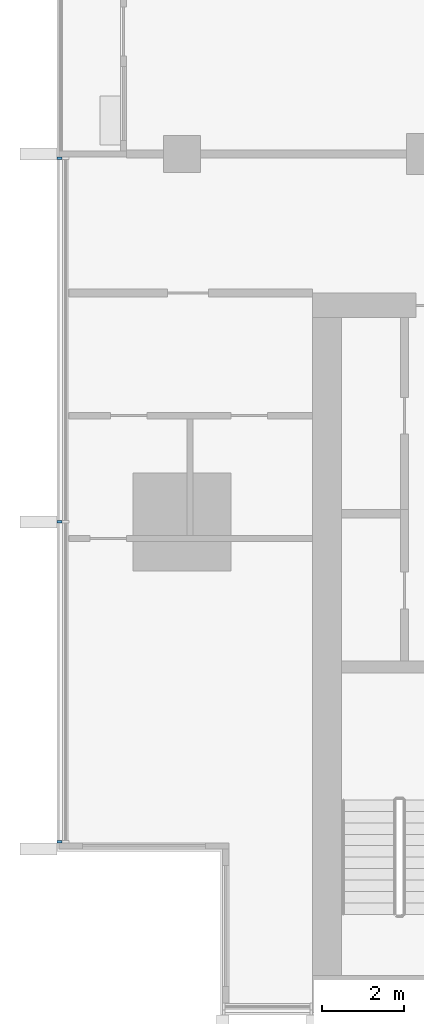
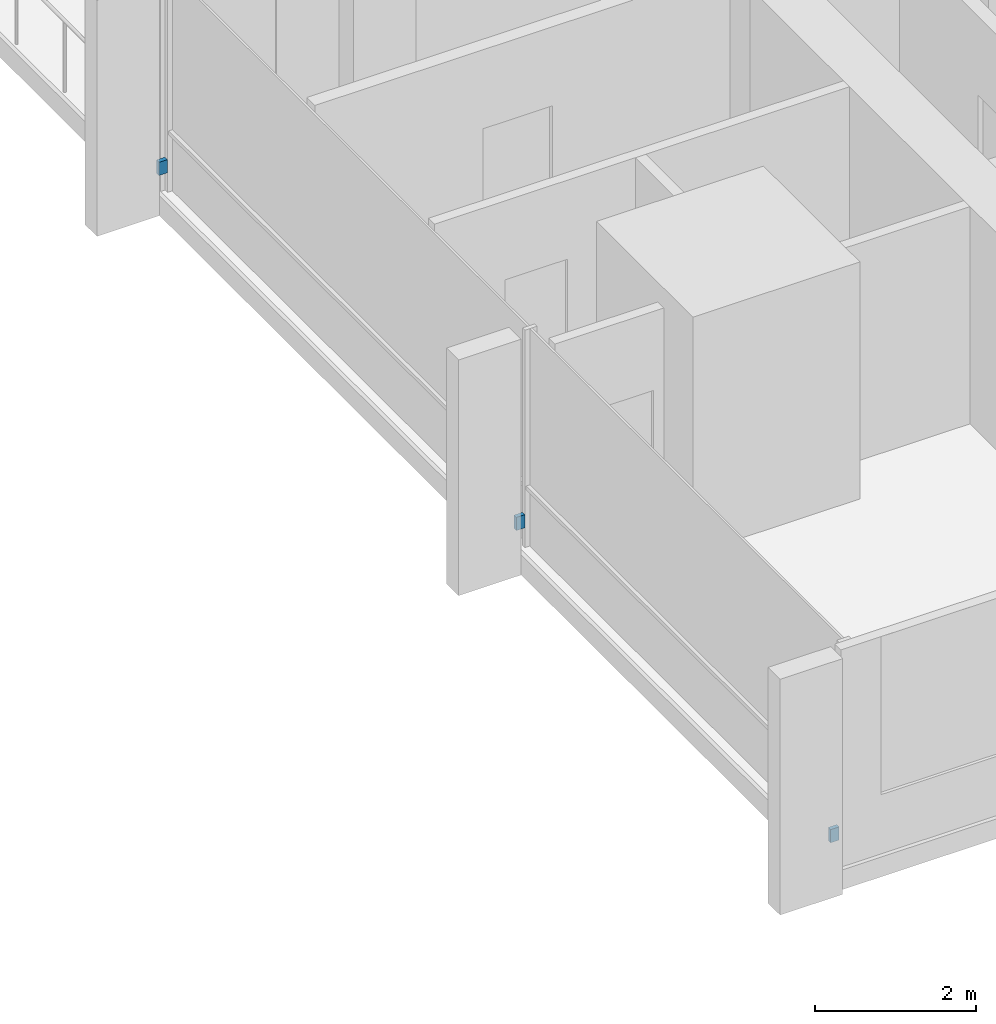
# One storey, part 13 of 17: 3 discrete accessories.
"""IFC4 building model written with IfcOpenShell, lengths in metres."""

from ifc_helpers import new_model, si_unit, direction, frame, origin, origin_2d, place, context, subcontext, project, spatial, rectangle, extrude, material, type_object, element, save


model = new_model("IFC4")

# Units and contexts
model_context = context("Model", 3, precision=1e-05, world=origin(), true_north=direction((0.0, 1.0)))
body_context = subcontext(model_context, "Body", "Model", "MODEL_VIEW")
ifc_project = project(units=[si_unit("LENGTHUNIT", "METRE"), si_unit("AREAUNIT", "SQUARE_METRE"), si_unit("VOLUMEUNIT", "CUBIC_METRE"), si_unit("PLANEANGLEUNIT", "RADIAN"), si_unit("MASSUNIT", "GRAM", prefix="KILO")], contexts=[model_context])

# Site, building, storey
site_placement = place(None, origin())
site = spatial("IfcSite", under=ifc_project, at=site_placement, CompositionType="ELEMENT")
building_placement = place(site_placement, origin())
building = spatial("IfcBuilding", under=site, at=building_placement, Name="Finial Court Residences", CompositionType="ELEMENT")
storey_placement = place(building_placement, frame((0.0, 0.0, 192.5)))
storey = spatial("IfcBuildingStorey", under=building, at=storey_placement, Name="L48", CompositionType="ELEMENT", Elevation=192.5)

# Discrete accessories
ifc_material = material(Name="Stainless steel 316", Category="steel")
discrete_accessory_type = type_object("IfcDiscreteAccessoryType", Name="Fin bracket, stainless steel 60 x 122 x 200", PredefinedType="BRACKET", material=ifc_material)
for number, where, z_axis, x_axis, name in (
    (1, (-19.498779296875, -21.320068359375, 0.2998046875), (0.0, 0.0, 1.0), (1.0, 0.0, 0.0), "E-L48-FIN-W22-BRK"),
    (2, (-19.498779296875, -13.5, 0.2998046875), (0.0, 0.0, 1.0), (1.0, 0.0, 0.0), "E-L48-FIN-W23-BRK"),
    (3, (-19.498779296875, -4.60498046875, 0.2998046875), (0.0, 0.0, 1.0), (1.0, 0.0, 0.0), "E-L48-FIN-W24-BRK"),
):
    element("IfcDiscreteAccessory", number, at=place(storey_placement, frame(where, z_axis=z_axis, x_axis=x_axis)), inside=storey, type_object=discrete_accessory_type, Name=name, PredefinedType="BRACKET", context=body_context, shape_type="SweptSolid", body=[
        extrude(rectangle(XDim=0.12255859375, YDim=0.06005859375, at=origin_2d()), origin(), (0.0, 0.0, 1.0), 0.199951171875),
    ])

save(model, "model.ifc")
